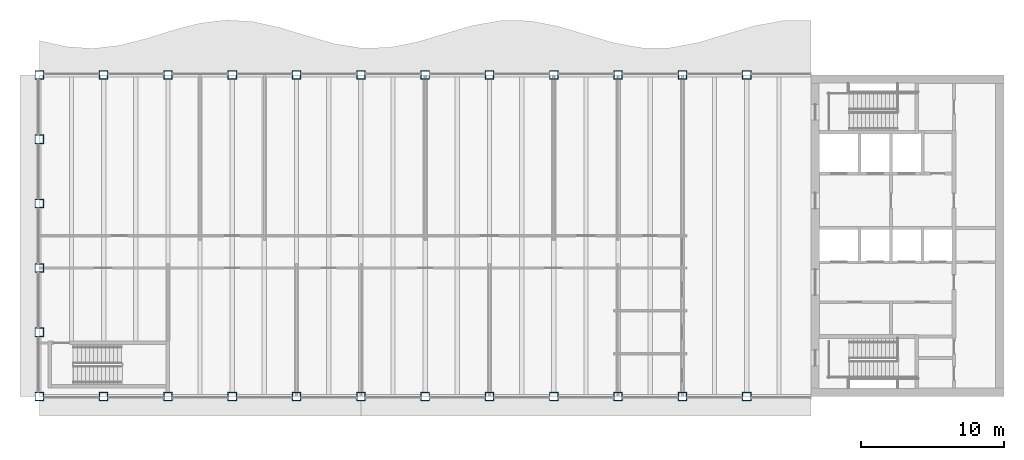
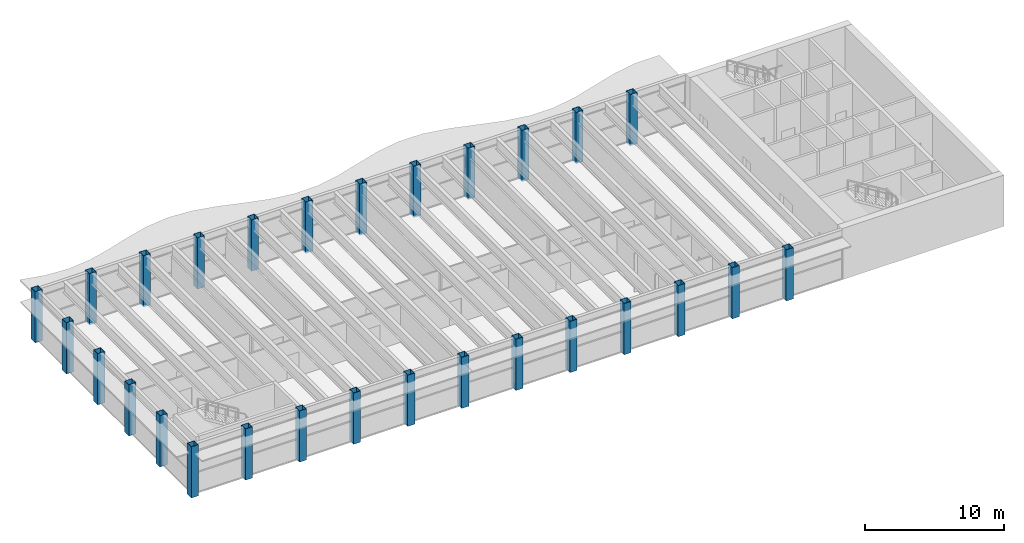
# One storey, part 1 of 14: 28 columns.
"""IFC4 building model written with IfcOpenShell, lengths in metres."""

from ifc_helpers import new_model, si_unit, direction, frame, origin, origin_2d, place, context, subcontext, project, spatial, hollow_rectangle, extrude, material, material_profile, profile_set, type_object, element, save


model = new_model("IFC4")

# Units and contexts
model_context = context("Model", 3, precision=1e-05, world=origin(), true_north=direction((0.0, 1.0)))
body_context = subcontext(model_context, "Body", "Model", "MODEL_VIEW")
ifc_project = project(units=[si_unit("LENGTHUNIT", "METRE"), si_unit("AREAUNIT", "SQUARE_METRE"), si_unit("VOLUMEUNIT", "CUBIC_METRE"), si_unit("PLANEANGLEUNIT", "RADIAN"), si_unit("MASSUNIT", "GRAM", prefix="KILO")], contexts=[model_context])

# Site, building, storey
site_placement = place(None, origin())
site = spatial("IfcSite", under=ifc_project, at=site_placement, CompositionType="ELEMENT")
building_placement = place(site_placement, origin())
building = spatial("IfcBuilding", under=site, at=building_placement, Name="Sennacour Bend Tower", CompositionType="ELEMENT")
storey_placement = place(building_placement, frame((0.0, 0.0, 309.5)))
storey = spatial("IfcBuildingStorey", under=building, at=storey_placement, Name="L71", CompositionType="ELEMENT", Elevation=309.5)

# Columns
ifc_material = material(Name="Steel ASTM A572 Grade 50", Category="steel")
ifc_material_profile = material_profile(ifc_material, hollow_rectangle(XDim=0.60009765625, YDim=0.60009765625, WallThickness=0.030029296875, at=origin_2d()), Name="Steel ASTM A572 Grade 50", Category="steel")
ifc_profile_set = profile_set([ifc_material_profile], Name="Steel ASTM A572 Grade 50")
column_type = type_object("IfcColumnType", Name="Box column 600", PredefinedType="COLUMN", material=ifc_profile_set)
for number, where, z_axis, x_axis, name in (
    (1, (0.0, 0.0, -0.14990234375), (0.0, 0.0, 1.0), (1.0, 0.0, 0.0), "Perimeter column C6 L71-001"),
    (2, (0.0, 4.5, -0.14990234375), (0.0, 0.0, 1.0), (1.0, 0.0, 0.0), "Perimeter column C6 L71-002"),
    (3, (0.0, 9.0, -0.14990234375), (0.0, 0.0, 1.0), (1.0, 0.0, 0.0), "Perimeter column C6 L71-003"),
    (4, (0.0, 13.5, -0.14990234375), (0.0, 0.0, 1.0), (1.0, 0.0, 0.0), "Perimeter column C6 L71-004"),
    (5, (0.0, 18.0, -0.14990234375), (0.0, 0.0, 1.0), (1.0, 0.0, 0.0), "Perimeter column C6 L71-005"),
    (6, (0.0, 22.5, -0.14990234375), (0.0, 0.0, 1.0), (1.0, 0.0, 0.0), "Perimeter column C6 L71-006"),
    (7, (4.5, 0.0, -0.14990234375), (0.0, 0.0, 1.0), (1.0, 0.0, 0.0), "Perimeter column C6 L71-007"),
    (8, (4.5, 22.5, -0.14990234375), (0.0, 0.0, 1.0), (1.0, 0.0, 0.0), "Perimeter column C6 L71-008"),
    (9, (9.0, 0.0, -0.14990234375), (0.0, 0.0, 1.0), (1.0, 0.0, 0.0), "Perimeter column C6 L71-009"),
    (10, (9.0, 22.5, -0.14990234375), (0.0, 0.0, 1.0), (1.0, 0.0, 0.0), "Perimeter column C6 L71-010"),
    (11, (13.5, 0.0, -0.14990234375), (0.0, 0.0, 1.0), (1.0, 0.0, 0.0), "Perimeter column C6 L71-011"),
    (12, (13.5, 22.5, -0.14990234375), (0.0, 0.0, 1.0), (1.0, 0.0, 0.0), "Perimeter column C6 L71-012"),
    (13, (18.0, 0.0, -0.14990234375), (0.0, 0.0, 1.0), (1.0, 0.0, 0.0), "Perimeter column C6 L71-013"),
    (14, (18.0, 22.5, -0.14990234375), (0.0, 0.0, 1.0), (1.0, 0.0, 0.0), "Perimeter column C6 L71-014"),
    (15, (22.5, 0.0, -0.14990234375), (0.0, 0.0, 1.0), (1.0, 0.0, 0.0), "Perimeter column C6 L71-015"),
    (16, (22.5, 22.5, -0.14990234375), (0.0, 0.0, 1.0), (1.0, 0.0, 0.0), "Perimeter column C6 L71-016"),
    (17, (27.0, 0.0, -0.14990234375), (0.0, 0.0, 1.0), (1.0, 0.0, 0.0), "Perimeter column C6 L71-017"),
    (18, (27.0, 22.5, -0.14990234375), (0.0, 0.0, 1.0), (1.0, 0.0, 0.0), "Perimeter column C6 L71-018"),
    (19, (31.5, 0.0, -0.14990234375), (0.0, 0.0, 1.0), (1.0, 0.0, 0.0), "Perimeter column C6 L71-019"),
    (20, (31.5, 22.5, -0.14990234375), (0.0, 0.0, 1.0), (1.0, 0.0, 0.0), "Perimeter column C6 L71-020"),
    (21, (36.0, 0.0, -0.14990234375), (0.0, 0.0, 1.0), (1.0, 0.0, 0.0), "Perimeter column C6 L71-021"),
    (22, (36.0, 22.5, -0.14990234375), (0.0, 0.0, 1.0), (1.0, 0.0, 0.0), "Perimeter column C6 L71-022"),
    (23, (40.5, 0.0, -0.14990234375), (0.0, 0.0, 1.0), (1.0, 0.0, 0.0), "Perimeter column C6 L71-023"),
    (24, (40.5, 22.5, -0.14990234375), (0.0, 0.0, 1.0), (1.0, 0.0, 0.0), "Perimeter column C6 L71-024"),
    (25, (45.0, 0.0, -0.14990234375), (0.0, 0.0, 1.0), (1.0, 0.0, 0.0), "Perimeter column C6 L71-025"),
    (26, (45.0, 22.5, -0.14990234375), (0.0, 0.0, 1.0), (1.0, 0.0, 0.0), "Perimeter column C6 L71-026"),
    (27, (49.5, 0.0, -0.14990234375), (0.0, 0.0, 1.0), (1.0, 0.0, 0.0), "Perimeter column C6 L71-027"),
    (28, (49.5, 22.5, -0.14990234375), (0.0, 0.0, 1.0), (1.0, 0.0, 0.0), "Perimeter column C6 L71-028"),
):
    element("IfcColumn", number, at=place(storey_placement, frame(where, z_axis=z_axis, x_axis=x_axis)), inside=storey, type_object=column_type, Name=name, PredefinedType="COLUMN", context=body_context, shape_type="SweptSolid", body=[
        extrude(hollow_rectangle(XDim=0.60009765625, YDim=0.60009765625, WallThickness=0.030029296875, at=origin_2d()), origin(), (0.0, 0.0, 1.0), 4.5),
    ])

save(model, "model.ifc")
